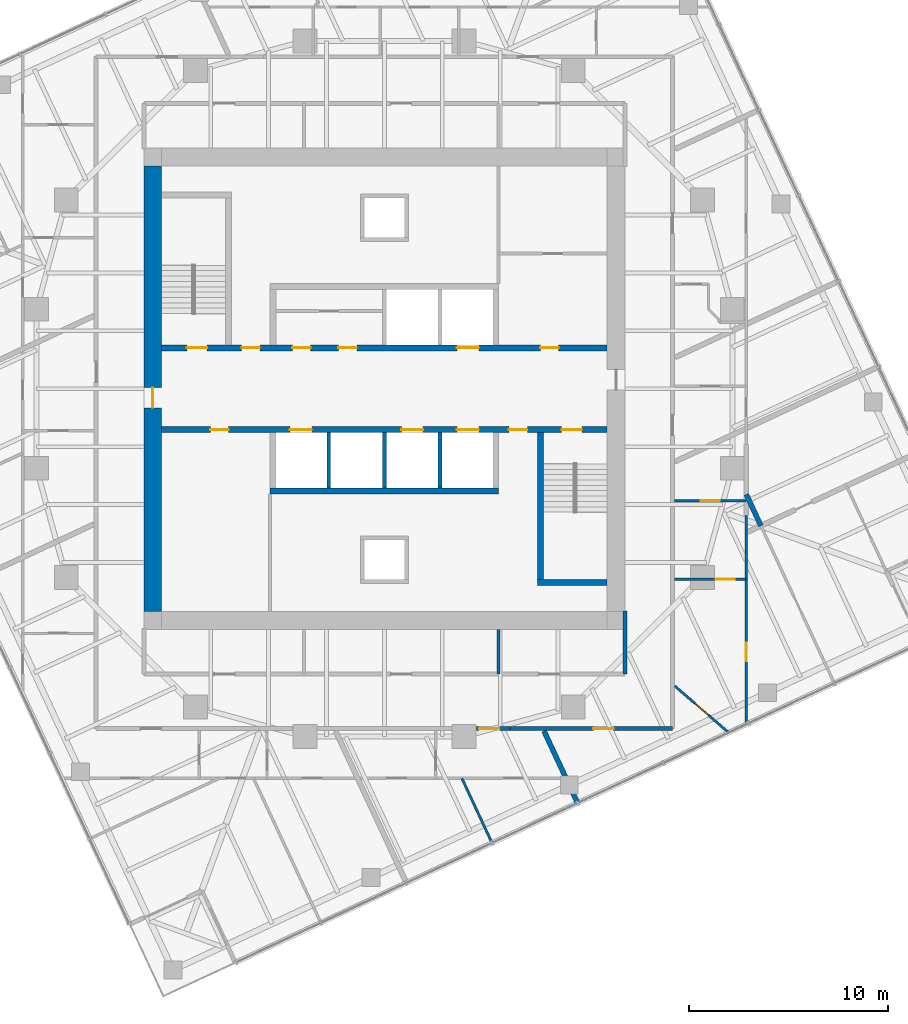
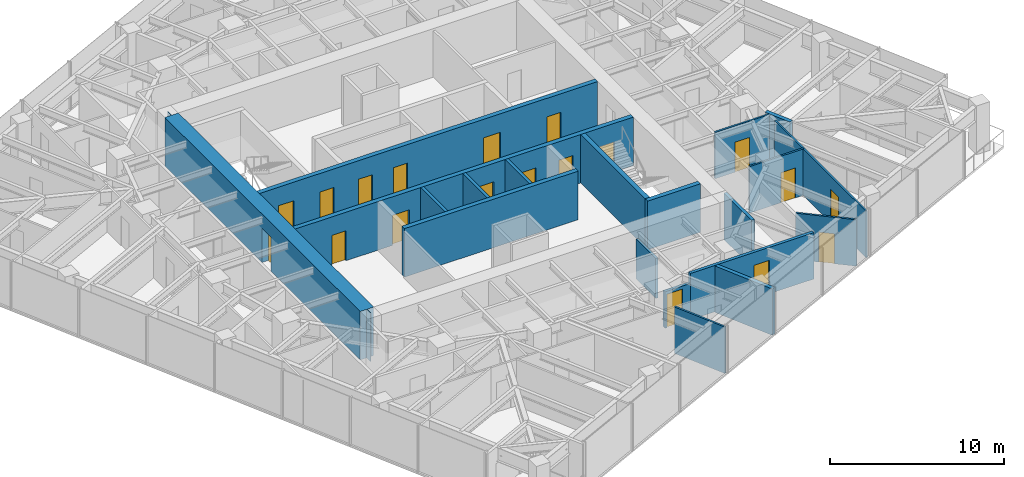
# One storey, part 8 of 13: 20 walls, 19 doors, 19 openings.
"""IFC4 building model written with IfcOpenShell, lengths in metres."""

from ifc_helpers import new_model, si_unit, direction, frame, frame_2d, origin, place, context, subcontext, project, spatial, polyline, rectangle, outline, extrude, material, layer, layer_set, type_object, element, fill, save


model = new_model("IFC4")

# Units and contexts
model_context = context("Model", 3, precision=1e-05, world=origin(), true_north=direction((0.0, 1.0)))
body_context = subcontext(model_context, "Body", "Model", "MODEL_VIEW")
ifc_project = project(units=[si_unit("LENGTHUNIT", "METRE"), si_unit("AREAUNIT", "SQUARE_METRE"), si_unit("VOLUMEUNIT", "CUBIC_METRE"), si_unit("PLANEANGLEUNIT", "RADIAN"), si_unit("MASSUNIT", "GRAM", prefix="KILO")], contexts=[model_context])

# Site, building, storey
site_placement = place(None, origin())
site = spatial("IfcSite", under=ifc_project, at=site_placement, CompositionType="ELEMENT")
building_placement = place(site_placement, origin())
building = spatial("IfcBuilding", under=site, at=building_placement, Name="Torsade Residences", CompositionType="ELEMENT")
storey_placement = place(building_placement, frame((0.0, 0.0, 196.39990234375)))
storey = spatial("IfcBuildingStorey", under=building, at=storey_placement, Name="L54", CompositionType="ELEMENT", Elevation=196.39990234375)

# Wall, openings, doors
ifc_material_1 = material(Name="Concrete 80 MPa", Category="concrete")
ifc_layer_1 = layer(ifc_material_1, 0.300048828125)
ifc_layer_set_1 = layer_set([ifc_layer_1], Name="Concrete 80 MPa")
wall_type_1 = type_object("IfcWallType", Name="CORE INTERNAL WALL 300", PredefinedType="SHEAR", material=ifc_layer_set_1)
wall_1_placement = place(storey_placement, frame((28.800048828125, 32.050048828125, 0.0), z_axis=(0.0, 0.0, 1.0), x_axis=(1.0, 0.0, 0.0)))
wall_1 = element("IfcWall", 1, at=wall_1_placement, inside=storey, type_object=wall_type_1, Name="Core wall LN L54", PredefinedType="SHEAR", context=body_context, shape_type="SweptSolid", body=[
    extrude(rectangle(XDim=22.39990234375, YDim=0.300048828125, at=frame_2d((11.199951171875, 0.0))), origin(), (0.0, 0.0, 1.0), 3.400146484375),
])
opening_1_placement = place(wall_1_placement, frame((19.0400390625, 0.0, 0.0)))
opening_1 = element("IfcOpeningElement", 2, at=opening_1_placement, cuts=wall_1, Name="Opening D06", PredefinedType="OPENING", context=body_context, shape_type="SweptSolid", body=[
    extrude(rectangle(XDim=0.919921875, YDim=2.10009765625, at=frame_2d((0.4599609375, 1.050048828125))), frame((0.0, 0.159912109375, 0.0), z_axis=(0.0, -1.0, 0.0), x_axis=(1.0, 0.0, 0.0)), (0.0, 0.0, 1.0), 0.320068359375),
])
opening_2_placement = place(wall_1_placement, frame((1.264892578125, 0.0, 0.0)))
opening_2 = element("IfcOpeningElement", 3, at=opening_2_placement, cuts=wall_1, Name="Opening D03", PredefinedType="OPENING", context=body_context, shape_type="SweptSolid", body=[
    extrude(rectangle(XDim=1.02001953125, YDim=2.10009765625, at=frame_2d((0.510009765625, 1.050048828125))), frame((0.0, 0.159912109375, 0.0), z_axis=(0.0, -1.0, 0.0), x_axis=(1.0, 0.0, 0.0)), (0.0, 0.0, 1.0), 0.320068359375),
])
opening_3_placement = place(wall_1_placement, frame((4.014892578125, 0.0, 0.0)))
opening_3 = element("IfcOpeningElement", 4, at=opening_3_placement, cuts=wall_1, Name="Opening D06", PredefinedType="OPENING", context=body_context, shape_type="SweptSolid", body=[
    extrude(rectangle(XDim=0.919921875, YDim=2.10009765625, at=frame_2d((0.4599609375, 1.050048828125))), frame((0.0, 0.159912109375, 0.0), z_axis=(0.0, -1.0, 0.0), x_axis=(1.0, 0.0, 0.0)), (0.0, 0.0, 1.0), 0.320068359375),
])
opening_4_placement = place(wall_1_placement, frame((6.56494140625, 0.0, 0.0)))
opening_4 = element("IfcOpeningElement", 5, at=opening_4_placement, cuts=wall_1, Name="Opening D06", PredefinedType="OPENING", context=body_context, shape_type="SweptSolid", body=[
    extrude(rectangle(XDim=0.919921875, YDim=2.10009765625, at=frame_2d((0.4599609375, 1.050048828125))), frame((0.0, 0.159912109375, 0.0), z_axis=(0.0, -1.0, 0.0), x_axis=(1.0, 0.0, 0.0)), (0.0, 0.0, 1.0), 0.320068359375),
])
opening_5_placement = place(wall_1_placement, frame((8.889892578125, 0.0, 0.0)))
opening_5 = element("IfcOpeningElement", 6, at=opening_5_placement, cuts=wall_1, Name="Opening D06", PredefinedType="OPENING", context=body_context, shape_type="SweptSolid", body=[
    extrude(rectangle(XDim=0.919921875, YDim=2.10009765625, at=frame_2d((0.4599609375, 1.050048828125))), frame((0.0, 0.159912109375, 0.0), z_axis=(0.0, -1.0, 0.0), x_axis=(1.0, 0.0, 0.0)), (0.0, 0.0, 1.0), 0.320068359375),
])
opening_6_placement = place(wall_1_placement, frame((14.85009765625, 0.0, 0.0)))
opening_6 = element("IfcOpeningElement", 7, at=opening_6_placement, cuts=wall_1, Name="Opening LD", PredefinedType="OPENING", context=body_context, shape_type="SweptSolid", body=[
    extrude(rectangle(XDim=1.10009765625, YDim=2.10009765625, at=frame_2d((0.550048828125, 1.050048828125))), frame((0.0, 0.159912109375, 0.0), z_axis=(0.0, -1.0, 0.0), x_axis=(1.0, 0.0, 0.0)), (0.0, 0.0, 1.0), 0.320068359375),
])
ifc_material_2 = material(Name="Steel-framed fire door", Category="steel")
door_type_1 = type_object("IfcDoorType", Name="FIRE DOOR 1020", OperationType="NOTDEFINED", PredefinedType="DOOR", material=ifc_material_2)
door_1_placement = place(opening_2_placement, origin())
door_1 = element("IfcDoor", 8, at=door_1_placement, inside=storey, type_object=door_type_1, Name="Exit door to fire-isolated stair ST1 L54", OperationType="SINGLE_SWING_RIGHT", OverallHeight=2.10009765625, OverallWidth=1.02001953125, PredefinedType="DOOR", context=body_context, shape_type="SweptSolid", body=[
    extrude(rectangle(XDim=1.02001953125, YDim=2.10009765625, at=frame_2d((0.510009765625, 1.050048828125))), frame((0.0, 0.02490234375, 0.0), z_axis=(0.0, -1.0, 0.0), x_axis=(1.0, 0.0, 0.0)), (0.0, 0.0, 1.0), 0.050048828125),
])
fill(opening_2, door_1)
ifc_material_3 = material(Name="Steel-framed fire door", Category="steel")
door_type_2 = type_object("IfcDoorType", Name="FIRE DOOR 920", OperationType="NOTDEFINED", PredefinedType="DOOR", material=ifc_material_3)
door_2_placement = place(opening_1_placement, origin())
door_2 = element("IfcDoor", 9, at=door_2_placement, inside=storey, type_object=door_type_2, Name="Door Lift lobby to Refuse room", OperationType="SINGLE_SWING_LEFT", OverallHeight=2.10009765625, OverallWidth=0.919921875, PredefinedType="DOOR", context=body_context, shape_type="SweptSolid", body=[
    extrude(rectangle(XDim=0.919921875, YDim=2.10009765625, at=frame_2d((0.4599609375, 1.050048828125))), frame((0.0, 0.02490234375, 0.0), z_axis=(0.0, -1.0, 0.0), x_axis=(1.0, 0.0, 0.0)), (0.0, 0.0, 1.0), 0.050048828125),
])
fill(opening_1, door_2)
door_3_placement = place(opening_3_placement, origin())
door_3 = element("IfcDoor", 10, at=door_3_placement, inside=storey, type_object=door_type_2, Name="Door Lift lobby to Electrical riser room", OperationType="SINGLE_SWING_LEFT", OverallHeight=2.10009765625, OverallWidth=0.919921875, PredefinedType="DOOR", context=body_context, shape_type="SweptSolid", body=[
    extrude(rectangle(XDim=0.919921875, YDim=2.10009765625, at=frame_2d((0.4599609375, 1.050048828125))), frame((0.0, 0.02490234375, 0.0), z_axis=(0.0, -1.0, 0.0), x_axis=(1.0, 0.0, 0.0)), (0.0, 0.0, 1.0), 0.050048828125),
])
fill(opening_3, door_3)
door_4_placement = place(opening_4_placement, origin())
door_4 = element("IfcDoor", 11, at=door_4_placement, inside=storey, type_object=door_type_2, Name="Door Lift lobby to Residents storage L54A", OperationType="SINGLE_SWING_LEFT", OverallHeight=2.10009765625, OverallWidth=0.919921875, PredefinedType="DOOR", context=body_context, shape_type="SweptSolid", body=[
    extrude(rectangle(XDim=0.919921875, YDim=2.10009765625, at=frame_2d((0.4599609375, 1.050048828125))), frame((0.0, 0.02490234375, 0.0), z_axis=(0.0, -1.0, 0.0), x_axis=(1.0, 0.0, 0.0)), (0.0, 0.0, 1.0), 0.050048828125),
])
fill(opening_4, door_4)
door_5_placement = place(opening_5_placement, origin())
door_5 = element("IfcDoor", 12, at=door_5_placement, inside=storey, type_object=door_type_2, Name="Door Lift lobby to Residents storage L54A", OperationType="SINGLE_SWING_LEFT", OverallHeight=2.10009765625, OverallWidth=0.919921875, PredefinedType="DOOR", context=body_context, shape_type="SweptSolid", body=[
    extrude(rectangle(XDim=0.919921875, YDim=2.10009765625, at=frame_2d((0.4599609375, 1.050048828125))), frame((0.0, 0.02490234375, 0.0), z_axis=(0.0, -1.0, 0.0), x_axis=(1.0, 0.0, 0.0)), (0.0, 0.0, 1.0), 0.050048828125),
])
fill(opening_5, door_5)
ifc_material_4 = material(Name="Stainless steel lift landing door", Category="steel")
door_type_3 = type_object("IfcDoorType", Name="LIFT LANDING DOOR 1100", OperationType="SLIDING_TO_LEFT", PredefinedType="DOOR", material=ifc_material_4)
door_6_placement = place(opening_6_placement, origin())
door_6 = element("IfcDoor", 13, at=door_6_placement, inside=storey, type_object=door_type_3, Name="Lift FL1 landing door L54", OperationType="SLIDING_TO_LEFT", OverallHeight=2.10009765625, OverallWidth=1.10009765625, PredefinedType="DOOR", context=body_context, shape_type="SweptSolid", body=[
    extrude(rectangle(XDim=1.10009765625, YDim=2.10009765625, at=frame_2d((0.550048828125, 1.050048828125))), frame((0.0, 0.02490234375, 0.0), z_axis=(0.0, -1.0, 0.0), x_axis=(1.0, 0.0, 0.0)), (0.0, 0.0, 1.0), 0.050048828125),
])
fill(opening_6, door_6)

wall_2_placement = place(storey_placement, frame((51.199951171875, 27.949951171875, 0.0), z_axis=(0.0, 0.0, 1.0), x_axis=(-1.0, 0.0, 0.0)))
wall_2 = element("IfcWall", 14, at=wall_2_placement, inside=storey, type_object=wall_type_1, Name="Core wall LS L54", PredefinedType="SHEAR", context=body_context, shape_type="SweptSolid", body=[
    extrude(rectangle(XDim=22.39990234375, YDim=0.300048828125, at=frame_2d((11.199951171875, 0.0))), origin(), (0.0, 0.0, 1.0), 3.400146484375),
])
opening_7_placement = place(wall_2_placement, frame((19.0400390625, 0.0, 0.0)))
opening_7 = element("IfcOpeningElement", 15, at=opening_7_placement, cuts=wall_2, Name="Opening D06", PredefinedType="OPENING", context=body_context, shape_type="SweptSolid", body=[
    extrude(rectangle(XDim=0.919921875, YDim=2.10009765625, at=frame_2d((0.4599609375, 1.050048828125))), frame((0.0, 0.159912109375, 0.0), z_axis=(0.0, -1.0, 0.0), x_axis=(1.0, 0.0, 0.0)), (0.0, 0.0, 1.0), 0.320068359375),
])
opening_8_placement = place(wall_2_placement, frame((1.264892578125, 0.0, 0.0)))
opening_8 = element("IfcOpeningElement", 16, at=opening_8_placement, cuts=wall_2, Name="Opening D03", PredefinedType="OPENING", context=body_context, shape_type="SweptSolid", body=[
    extrude(rectangle(XDim=1.02001953125, YDim=2.10009765625, at=frame_2d((0.510009765625, 1.050048828125))), frame((0.0, 0.159912109375, 0.0), z_axis=(0.0, -1.0, 0.0), x_axis=(1.0, 0.0, 0.0)), (0.0, 0.0, 1.0), 0.320068359375),
])
opening_9_placement = place(wall_2_placement, frame((4.014892578125, 0.0, 0.0)))
opening_9 = element("IfcOpeningElement", 17, at=opening_9_placement, cuts=wall_2, Name="Opening D06", PredefinedType="OPENING", context=body_context, shape_type="SweptSolid", body=[
    extrude(rectangle(XDim=0.919921875, YDim=2.10009765625, at=frame_2d((0.4599609375, 1.050048828125))), frame((0.0, 0.159912109375, 0.0), z_axis=(0.0, -1.0, 0.0), x_axis=(1.0, 0.0, 0.0)), (0.0, 0.0, 1.0), 0.320068359375),
])
opening_10_placement = place(wall_2_placement, frame((6.449951171875, 0.0, 0.0)))
opening_10 = element("IfcOpeningElement", 18, at=opening_10_placement, cuts=wall_2, Name="Opening LD", PredefinedType="OPENING", context=body_context, shape_type="SweptSolid", body=[
    extrude(rectangle(XDim=1.10009765625, YDim=2.10009765625, at=frame_2d((0.550048828125, 1.050048828125))), frame((0.0, 0.159912109375, 0.0), z_axis=(0.0, -1.0, 0.0), x_axis=(1.0, 0.0, 0.0)), (0.0, 0.0, 1.0), 0.320068359375),
])
opening_11_placement = place(wall_2_placement, frame((9.25, 0.0, 0.0)))
opening_11 = element("IfcOpeningElement", 19, at=opening_11_placement, cuts=wall_2, Name="Opening LD", PredefinedType="OPENING", context=body_context, shape_type="SweptSolid", body=[
    extrude(rectangle(XDim=1.10009765625, YDim=2.10009765625, at=frame_2d((0.550048828125, 1.050048828125))), frame((0.0, 0.159912109375, 0.0), z_axis=(0.0, -1.0, 0.0), x_axis=(1.0, 0.0, 0.0)), (0.0, 0.0, 1.0), 0.320068359375),
])
opening_12_placement = place(wall_2_placement, frame((14.85009765625, 0.0, 0.0)))
opening_12 = element("IfcOpeningElement", 20, at=opening_12_placement, cuts=wall_2, Name="Opening LD", PredefinedType="OPENING", context=body_context, shape_type="SweptSolid", body=[
    extrude(rectangle(XDim=1.10009765625, YDim=2.10009765625, at=frame_2d((0.550048828125, 1.050048828125))), frame((0.0, 0.159912109375, 0.0), z_axis=(0.0, -1.0, 0.0), x_axis=(1.0, 0.0, 0.0)), (0.0, 0.0, 1.0), 0.320068359375),
])
door_7_placement = place(opening_8_placement, origin())
door_7 = element("IfcDoor", 21, at=door_7_placement, inside=storey, type_object=door_type_1, Name="Exit door to fire-isolated stair ST2 L54", OperationType="SINGLE_SWING_RIGHT", OverallHeight=2.10009765625, OverallWidth=1.02001953125, PredefinedType="DOOR", context=body_context, shape_type="SweptSolid", body=[
    extrude(rectangle(XDim=1.02001953125, YDim=2.10009765625, at=frame_2d((0.510009765625, 1.050048828125))), frame((0.0, 0.02490234375, 0.0), z_axis=(0.0, -1.0, 0.0), x_axis=(1.0, 0.0, 0.0)), (0.0, 0.0, 1.0), 0.050048828125),
])
fill(opening_8, door_7)
door_8_placement = place(opening_7_placement, origin())
door_8 = element("IfcDoor", 22, at=door_8_placement, inside=storey, type_object=door_type_2, Name="Door Lift lobby to Cleaner store", OperationType="SINGLE_SWING_LEFT", OverallHeight=2.10009765625, OverallWidth=0.919921875, PredefinedType="DOOR", context=body_context, shape_type="SweptSolid", body=[
    extrude(rectangle(XDim=0.919921875, YDim=2.10009765625, at=frame_2d((0.4599609375, 1.050048828125))), frame((0.0, 0.02490234375, 0.0), z_axis=(0.0, -1.0, 0.0), x_axis=(1.0, 0.0, 0.0)), (0.0, 0.0, 1.0), 0.050048828125),
])
fill(opening_7, door_8)
door_9_placement = place(opening_9_placement, origin())
door_9 = element("IfcDoor", 23, at=door_9_placement, inside=storey, type_object=door_type_2, Name="Door Lift lobby to Communications riser room", OperationType="SINGLE_SWING_RIGHT", OverallHeight=2.10009765625, OverallWidth=0.919921875, PredefinedType="DOOR", context=body_context, shape_type="SweptSolid", body=[
    extrude(rectangle(XDim=0.919921875, YDim=2.10009765625, at=frame_2d((0.4599609375, 1.050048828125))), frame((0.0, 0.02490234375, 0.0), z_axis=(0.0, -1.0, 0.0), x_axis=(1.0, 0.0, 0.0)), (0.0, 0.0, 1.0), 0.050048828125),
])
fill(opening_9, door_9)
door_10_placement = place(opening_10_placement, origin())
door_10 = element("IfcDoor", 24, at=door_10_placement, inside=storey, type_object=door_type_3, Name="Lift LB1 landing door L54", OperationType="SLIDING_TO_LEFT", OverallHeight=2.10009765625, OverallWidth=1.10009765625, PredefinedType="DOOR", context=body_context, shape_type="SweptSolid", body=[
    extrude(rectangle(XDim=1.10009765625, YDim=2.10009765625, at=frame_2d((0.550048828125, 1.050048828125))), frame((0.0, 0.02490234375, 0.0), z_axis=(0.0, -1.0, 0.0), x_axis=(1.0, 0.0, 0.0)), (0.0, 0.0, 1.0), 0.050048828125),
])
fill(opening_10, door_10)
door_11_placement = place(opening_11_placement, origin())
door_11 = element("IfcDoor", 25, at=door_11_placement, inside=storey, type_object=door_type_3, Name="Lift LB2 landing door L54", OperationType="SLIDING_TO_LEFT", OverallHeight=2.10009765625, OverallWidth=1.10009765625, PredefinedType="DOOR", context=body_context, shape_type="SweptSolid", body=[
    extrude(rectangle(XDim=1.10009765625, YDim=2.10009765625, at=frame_2d((0.550048828125, 1.050048828125))), frame((0.0, 0.02490234375, 0.0), z_axis=(0.0, -1.0, 0.0), x_axis=(1.0, 0.0, 0.0)), (0.0, 0.0, 1.0), 0.050048828125),
])
fill(opening_11, door_11)
door_12_placement = place(opening_12_placement, origin())
door_12 = element("IfcDoor", 26, at=door_12_placement, inside=storey, type_object=door_type_3, Name="Lift FL2 landing door L54", OperationType="SLIDING_TO_LEFT", OverallHeight=2.10009765625, OverallWidth=1.10009765625, PredefinedType="DOOR", context=body_context, shape_type="SweptSolid", body=[
    extrude(rectangle(XDim=1.10009765625, YDim=2.10009765625, at=frame_2d((0.550048828125, 1.050048828125))), frame((0.0, 0.02490234375, 0.0), z_axis=(0.0, -1.0, 0.0), x_axis=(1.0, 0.0, 0.0)), (0.0, 0.0, 1.0), 0.050048828125),
])
fill(opening_12, door_12)

# Walls
wall_3_placement = place(storey_placement, frame((45.75, 24.85009765625, 0.0), z_axis=(0.0, 0.0, 1.0), x_axis=(-1.0, 0.0, 0.0)))
element("IfcWall", 27, at=wall_3_placement, inside=storey, type_object=wall_type_1, Name="Core wall BS L54", PredefinedType="SHEAR", context=body_context, shape_type="SweptSolid", body=[
    extrude(rectangle(XDim=11.5, YDim=0.300048828125, at=frame_2d((5.75, 0.0))), origin(), (0.0, 0.0, 1.0), 3.400146484375),
])
wall_4_placement = place(storey_placement, frame((47.85009765625, 27.800048828125, 0.0), z_axis=(0.0, 0.0, 1.0), x_axis=(0.0, -1.0, 0.0)))
element("IfcWall", 28, at=wall_4_placement, inside=storey, type_object=wall_type_1, Name="Core wall ST2W L54", PredefinedType="SHEAR", context=body_context, shape_type="SweptSolid", body=[
    extrude(rectangle(XDim=7.699951171875, YDim=0.300048828125, at=frame_2d((3.85009765625, 0.0))), origin(), (0.0, 0.0, 1.0), 3.400146484375),
])
wall_5_placement = place(storey_placement, frame((51.199951171875, 20.25, 0.0), z_axis=(0.0, 0.0, 1.0), x_axis=(-1.0, 0.0, 0.0)))
element("IfcWall", 29, at=wall_5_placement, inside=storey, type_object=wall_type_1, Name="Core wall ST2S L54", PredefinedType="SHEAR", context=body_context, shape_type="SweptSolid", body=[
    extrude(rectangle(XDim=3.5, YDim=0.300048828125, at=frame_2d((1.75, 0.0))), origin(), (0.0, 0.0, 1.0), 3.400146484375),
])

# Wall, opening, door
ifc_material_5 = material(Name="Concrete 80 MPa", Category="concrete")
ifc_layer_2 = layer(ifc_material_5, 0.89990234375)
ifc_layer_set_2 = layer_set([ifc_layer_2], Name="Concrete 80 MPa")
wall_type_2 = type_object("IfcWallType", Name="CORE WALL 900", PredefinedType="SHEAR", material=ifc_layer_set_2)
wall_6_placement = place(storey_placement, frame((28.35009765625, 41.199951171875, 0.0), z_axis=(0.0, 0.0, 1.0), x_axis=(0.0, -1.0, 0.0)))
wall_6 = element("IfcWall", 30, at=wall_6_placement, inside=storey, type_object=wall_type_2, Name="Core wall W L54", PredefinedType="SHEAR", context=body_context, shape_type="SweptSolid", body=[
    extrude(outline(polyline([(0.0, -0.449951171875), (22.39990234375, -0.449951171875), (22.39990234375, -0.02490234375), (22.849853515625, -0.02490234375), (22.849853515625, 0.02490234375), (22.39990234375, 0.02490234375), (22.39990234375, 0.449951171875), (0.0, 0.449951171875), (0.0, 0.02490234375), (-0.449951171875, 0.02490234375), (-0.449951171875, -0.02490234375), (0.0, -0.02490234375), (0.0, -0.449951171875)])), origin(), (0.0, 0.0, 1.0), 3.400146484375),
])
opening_13_placement = place(wall_6_placement, frame((11.139892578125, 0.0, 0.0)))
opening_13 = element("IfcOpeningElement", 31, at=opening_13_placement, cuts=wall_6, Name="Opening D04", PredefinedType="OPENING", context=body_context, shape_type="SweptSolid", body=[
    extrude(rectangle(XDim=1.02001953125, YDim=2.39990234375, at=frame_2d((0.510009765625, 1.199951171875))), frame((0.0, 0.4599609375, 0.0), z_axis=(0.0, -1.0, 0.0), x_axis=(1.0, 0.0, 0.0)), (0.0, 0.0, 1.0), 0.919921875),
])
ifc_material_6 = material(Name="Steel-framed fire door", Category="steel")
door_type_4 = type_object("IfcDoorType", Name="LOBBY SMOKE DOOR 1020x2400", OperationType="NOTDEFINED", PredefinedType="DOOR", material=ifc_material_6)
door_13_placement = place(opening_13_placement, origin())
door_13 = element("IfcDoor", 32, at=door_13_placement, inside=storey, type_object=door_type_4, Name="Lift lobby door W L54", OperationType="SINGLE_SWING_RIGHT", OverallHeight=2.39990234375, OverallWidth=1.02001953125, PredefinedType="DOOR", context=body_context, shape_type="SweptSolid", body=[
    extrude(rectangle(XDim=1.02001953125, YDim=2.39990234375, at=frame_2d((0.510009765625, 1.199951171875))), frame((0.0, 0.02490234375, 0.0), z_axis=(0.0, -1.0, 0.0), x_axis=(1.0, 0.0, 0.0)), (0.0, 0.0, 1.0), 0.050048828125),
])
fill(opening_13, door_13)

ifc_material_7 = material(Name="Plasterboard on steel stud", Category="steel")
ifc_layer_3 = layer(ifc_material_7, 0.199951171875)
ifc_layer_set_3 = layer_set([ifc_layer_3], Name="Plasterboard on steel stud")
wall_type_3 = type_object("IfcWallType", Name="CORRIDOR WALL 200", PredefinedType="PARTITIONING", material=ifc_layer_set_3)
wall_7_placement = place(storey_placement, frame((44.625, 12.89990234375, 0.0), z_axis=(0.0, 0.0, 1.0), x_axis=(1.0, 0.0, 0.0)))
wall_7 = element("IfcWall", 33, at=wall_7_placement, inside=storey, type_object=wall_type_3, Name="Corridor wall L54", PredefinedType="PARTITIONING", context=body_context, shape_type="SweptSolid", body=[
    extrude(rectangle(XDim=1.683349609375, YDim=0.199951171875, at=frame_2d((0.841796875, 0.0))), origin(), (0.0, 0.0, 1.0), 2.550048828125),
])
opening_14_placement = place(wall_7_placement, frame((0.137451171875, 0.0, 0.0)))
opening_14 = element("IfcOpeningElement", 34, at=opening_14_placement, cuts=wall_7, Name="Opening D01", PredefinedType="OPENING", context=body_context, shape_type="SweptSolid", body=[
    extrude(rectangle(XDim=1.02001953125, YDim=2.340087890625, at=frame_2d((0.510009765625, 1.169921875))), frame((0.0, 0.10986328125, 0.0), z_axis=(0.0, -1.0, 0.0), x_axis=(1.0, 0.0, 0.0)), (0.0, 0.0, 1.0), 0.219970703125),
])
ifc_material_8 = material(Name="Solid-core timber fire door", Category="wood")
door_type_5 = type_object("IfcDoorType", Name="APARTMENT ENTRY DOOR 1020x2340", OperationType="NOTDEFINED", PredefinedType="DOOR", material=ifc_material_8)
door_14_placement = place(opening_14_placement, origin())
door_14 = element("IfcDoor", 35, at=door_14_placement, inside=storey, type_object=door_type_5, Name="Door Residential corridor to Kitchen and dining", OperationType="SINGLE_SWING_LEFT", OverallHeight=2.340087890625, OverallWidth=1.02001953125, PredefinedType="DOOR", context=body_context, shape_type="SweptSolid", body=[
    extrude(rectangle(XDim=1.02001953125, YDim=2.340087890625, at=frame_2d((0.510009765625, 1.169921875))), frame((0.0, 0.02490234375, 0.0), z_axis=(0.0, -1.0, 0.0), x_axis=(1.0, 0.0, 0.0)), (0.0, 0.0, 1.0), 0.050048828125),
])
fill(opening_14, door_14)

wall_8_placement = place(storey_placement, frame((46.308349609375, 12.89990234375, 0.0), z_axis=(0.0, 0.0, 1.0), x_axis=(1.0, 0.0, 0.0)))
wall_8 = element("IfcWall", 36, at=wall_8_placement, inside=storey, type_object=wall_type_3, Name="Corridor wall L54", PredefinedType="PARTITIONING", context=body_context, shape_type="SweptSolid", body=[
    extrude(rectangle(XDim=8.191650390625, YDim=0.199951171875, at=frame_2d((4.095703125, 0.0))), origin(), (0.0, 0.0, 1.0), 3.25),
])
opening_15_placement = place(wall_8_placement, frame((4.207275390625, 0.0, 0.0)))
opening_15 = element("IfcOpeningElement", 37, at=opening_15_placement, cuts=wall_8, Name="Opening D01", PredefinedType="OPENING", context=body_context, shape_type="SweptSolid", body=[
    extrude(rectangle(XDim=1.02001953125, YDim=2.340087890625, at=frame_2d((0.510009765625, 1.169921875))), frame((0.0, 0.10986328125, 0.0), z_axis=(0.0, -1.0, 0.0), x_axis=(1.0, 0.0, 0.0)), (0.0, 0.0, 1.0), 0.219970703125),
])
door_15_placement = place(opening_15_placement, origin())
door_15 = element("IfcDoor", 38, at=door_15_placement, inside=storey, type_object=door_type_5, Name="Door Residential corridor to Kitchen and dining", OperationType="SINGLE_SWING_RIGHT", OverallHeight=2.340087890625, OverallWidth=1.02001953125, PredefinedType="DOOR", context=body_context, shape_type="SweptSolid", body=[
    extrude(rectangle(XDim=1.02001953125, YDim=2.340087890625, at=frame_2d((0.510009765625, 1.169921875))), frame((0.0, 0.02490234375, 0.0), z_axis=(0.0, -1.0, 0.0), x_axis=(1.0, 0.0, 0.0)), (0.0, 0.0, 1.0), 0.050048828125),
])
fill(opening_15, door_15)

# Walls
wall_9_placement = place(storey_placement, frame((52.10009765625, 15.64990234375, 0.0), z_axis=(0.0, 0.0, 1.0), x_axis=(0.0, 1.0, 0.0)))
element("IfcWall", 39, at=wall_9_placement, inside=storey, type_object=wall_type_3, Name="Corridor wall L54", PredefinedType="PARTITIONING", context=body_context, shape_type="SweptSolid", body=[
    extrude(rectangle(XDim=3.170166015625, YDim=0.199951171875, at=frame_2d((1.5849609375, 0.0))), origin(), (0.0, 0.0, 1.0), 3.25),
])
ifc_material_9 = material(Name="Reinforced blockwork", Category="masonry")
ifc_layer_4 = layer(ifc_material_9, 0.199951171875)
ifc_layer_set_4 = layer_set([ifc_layer_4], Name="Reinforced blockwork")
wall_type_4 = type_object("IfcWallType", Name="LIFT SHAFT DIVIDING WALL 200", PredefinedType="SOLIDWALL", material=ifc_layer_set_4)
for number, where, z_axis, x_axis, name in (
    (40, (42.800048828125, 27.800048828125, 0.0), (0.0, 0.0, 1.0), (0.0, -1.0, 0.0), "Core wall DS1 L54"),
    (41, (40.0, 27.800048828125, 0.0), (0.0, 0.0, 1.0), (0.0, -1.0, 0.0), "Core wall DS2 L54"),
    (42, (37.199951171875, 27.800048828125, 0.0), (0.0, 0.0, 1.0), (0.0, -1.0, 0.0), "Core wall DS3 L54"),
):
    element("IfcWall", number, at=place(storey_placement, frame(where, z_axis=z_axis, x_axis=x_axis)), inside=storey, type_object=wall_type_4, Name=name, PredefinedType="SOLIDWALL", context=body_context, shape_type="SweptSolid", body=[
        extrude(rectangle(XDim=2.800048828125, YDim=0.199951171875, at=frame_2d((1.39990234375, 0.0))), origin(), (0.0, 0.0, 1.0), 3.400146484375),
    ])
ifc_material_10 = material(Name="Plasterboard on steel stud", Category="steel")
ifc_layer_5 = layer(ifc_material_10, 0.1201171875)
ifc_layer_set_5 = layer_set([ifc_layer_5], Name="Plasterboard on steel stud")
wall_type_5 = type_object("IfcWallType", Name="PARTITION 120", PredefinedType="PARTITIONING", material=ifc_layer_set_5)
wall_10_placement = place(storey_placement, frame((43.898681640625, 10.39990234375, 0.0), z_axis=(0.0, 0.0, 1.0), x_axis=(0.42263686638, -0.906299111318, 0.0)))
element("IfcWall", 43, at=wall_10_placement, inside=storey, type_object=wall_type_5, Name="Partition L54", PredefinedType="PARTITIONING", context=body_context, shape_type="SweptSolid", body=[
    extrude(rectangle(XDim=3.548583984375, YDim=0.1201171875, at=frame_2d((1.7744140625, 0.0))), origin(), (0.0, 0.0, 1.0), 3.25),
])

# Wall, opening, door
wall_11_placement = place(storey_placement, frame((54.60009765625, 15.05224609375, 0.0), z_axis=(0.0, 0.0, 1.0), x_axis=(0.756558808476, -0.653925660391, 0.0)))
wall_11 = element("IfcWall", 44, at=wall_11_placement, inside=storey, type_object=wall_type_5, Name="Partition L54", PredefinedType="PARTITIONING", context=body_context, shape_type="SweptSolid", body=[
    extrude(rectangle(XDim=3.553955078125, YDim=0.1201171875, at=frame_2d((1.77685546875, 0.0))), origin(), (0.0, 0.0, 1.0), 3.25),
])
opening_16_placement = place(wall_11_placement, frame((1.3388671875, 0.0, 0.0)))
opening_16 = element("IfcOpeningElement", 45, at=opening_16_placement, cuts=wall_11, Name="Opening D02L", PredefinedType="OPENING", context=body_context, shape_type="SweptSolid", body=[
    extrude(rectangle(XDim=0.919921875, YDim=2.10009765625, at=frame_2d((0.4599609375, 1.050048828125))), frame((0.0, 0.070068359375, 0.0), z_axis=(0.0, -1.0, 0.0), x_axis=(1.0, 0.0, 0.0)), (0.0, 0.0, 1.0), 0.14013671875),
])
ifc_material_11 = material(Name="Hollow-core timber door", Category="wood")
door_type_6 = type_object("IfcDoorType", Name="INTERNAL DOOR 920x2100", OperationType="NOTDEFINED", PredefinedType="DOOR", material=ifc_material_11)
door_16_placement = place(opening_16_placement, origin())
door_16 = element("IfcDoor", 46, at=door_16_placement, inside=storey, type_object=door_type_6, Name="Door Kitchen and dining to Scullery", OperationType="SINGLE_SWING_LEFT", OverallHeight=2.10009765625, OverallWidth=0.919921875, PredefinedType="DOOR", context=body_context, shape_type="SweptSolid", body=[
    extrude(rectangle(XDim=0.919921875, YDim=2.10009765625, at=frame_2d((0.4599609375, 1.050048828125))), frame((0.0, 0.02490234375, 0.0), z_axis=(0.0, -1.0, 0.0), x_axis=(1.0, 0.0, 0.0)), (0.0, 0.0, 1.0), 0.050048828125),
])
fill(opening_16, door_16)

wall_12_placement = place(storey_placement, frame((54.60009765625, 20.41259765625, 0.0), z_axis=(0.0, 0.0, 1.0), x_axis=(1.0, 0.0, 0.0)))
wall_12 = element("IfcWall", 47, at=wall_12_placement, inside=storey, type_object=wall_type_5, Name="Partition L54", PredefinedType="PARTITIONING", context=body_context, shape_type="SweptSolid", body=[
    extrude(rectangle(XDim=3.599853515625, YDim=0.1201171875, at=frame_2d((1.7998046875, 0.0))), origin(), (0.0, 0.0, 1.0), 3.25),
])
opening_17_placement = place(wall_12_placement, frame((2.070068359375, 0.0, 0.0)))
opening_17 = element("IfcOpeningElement", 48, at=opening_17_placement, cuts=wall_12, Name="Opening D05", PredefinedType="OPENING", context=body_context, shape_type="SweptSolid", body=[
    extrude(rectangle(XDim=0.9599609375, YDim=2.10009765625, at=frame_2d((0.47998046875, 1.050048828125))), frame((0.0, 0.070068359375, 0.0), z_axis=(0.0, -1.0, 0.0), x_axis=(1.0, 0.0, 0.0)), (0.0, 0.0, 1.0), 0.14013671875),
])
ifc_material_12 = material(Name="Hollow-core timber door in a steel cavity frame", Category="steel")
door_type_7 = type_object("IfcDoorType", Name="BATHROOM CAVITY SLIDING DOOR 960", OperationType="SLIDING_TO_LEFT", PredefinedType="DOOR", material=ifc_material_12)
door_17_placement = place(opening_17_placement, origin())
door_17 = element("IfcDoor", 49, at=door_17_placement, inside=storey, type_object=door_type_7, Name="Door Scullery to Bathroom", OperationType="SLIDING_TO_LEFT", OverallHeight=2.10009765625, OverallWidth=0.9599609375, PredefinedType="DOOR", context=body_context, shape_type="SweptSolid", body=[
    extrude(rectangle(XDim=0.9599609375, YDim=2.10009765625, at=frame_2d((0.47998046875, 1.050048828125))), frame((0.0, 0.02490234375, 0.0), z_axis=(0.0, -1.0, 0.0), x_axis=(1.0, 0.0, 0.0)), (0.0, 0.0, 1.0), 0.050048828125),
])
fill(opening_17, door_17)

wall_13_placement = place(storey_placement, frame((58.199951171875, 23.63232421875, 0.0), z_axis=(0.0, 0.0, 1.0), x_axis=(0.0, -1.0, 0.0)))
wall_13 = element("IfcWall", 50, at=wall_13_placement, inside=storey, type_object=wall_type_5, Name="Partition L54", PredefinedType="PARTITIONING", context=body_context, shape_type="SweptSolid", body=[
    extrude(rectangle(XDim=10.47900390625, YDim=0.1201171875, at=frame_2d((5.239501953125, 0.0))), origin(), (0.0, 0.0, 1.0), 3.25),
])
opening_18_placement = place(wall_13_placement, frame((6.411376953125, 0.0, 0.0)))
opening_18 = element("IfcOpeningElement", 51, at=opening_18_placement, cuts=wall_13, Name="Opening D02", PredefinedType="OPENING", context=body_context, shape_type="SweptSolid", body=[
    extrude(rectangle(XDim=0.919921875, YDim=2.340087890625, at=frame_2d((0.4599609375, 1.169921875))), frame((0.0, 0.070068359375, 0.0), z_axis=(0.0, -1.0, 0.0), x_axis=(1.0, 0.0, 0.0)), (0.0, 0.0, 1.0), 0.14013671875),
])
ifc_material_13 = material(Name="Hollow-core timber door", Category="wood")
door_type_8 = type_object("IfcDoorType", Name="INTERNAL DOOR 920x2340", OperationType="NOTDEFINED", PredefinedType="DOOR", material=ifc_material_13)
door_18_placement = place(opening_18_placement, origin())
door_18 = element("IfcDoor", 52, at=door_18_placement, inside=storey, type_object=door_type_8, Name="Door Scullery to Bedroom 2", OperationType="SINGLE_SWING_RIGHT", OverallHeight=2.340087890625, OverallWidth=0.919921875, PredefinedType="DOOR", context=body_context, shape_type="SweptSolid", body=[
    extrude(rectangle(XDim=0.919921875, YDim=2.340087890625, at=frame_2d((0.4599609375, 1.169921875))), frame((0.0, 0.02490234375, 0.0), z_axis=(0.0, -1.0, 0.0), x_axis=(1.0, 0.0, 0.0)), (0.0, 0.0, 1.0), 0.050048828125),
])
fill(opening_18, door_18)

wall_14_placement = place(storey_placement, frame((54.60009765625, 24.367919921875, 0.0), z_axis=(0.0, 0.0, 1.0), x_axis=(1.0, 0.0, 0.0)))
wall_14 = element("IfcWall", 53, at=wall_14_placement, inside=storey, type_object=wall_type_5, Name="Partition L54", PredefinedType="PARTITIONING", context=body_context, shape_type="SweptSolid", body=[
    extrude(rectangle(XDim=3.599853515625, YDim=0.1201171875, at=frame_2d((1.7998046875, 0.0))), origin(), (0.0, 0.0, 1.0), 3.25),
])
opening_19_placement = place(wall_14_placement, frame((1.320068359375, 0.0, 0.0)))
opening_19 = element("IfcOpeningElement", 54, at=opening_19_placement, cuts=wall_14, Name="Opening D05", PredefinedType="OPENING", context=body_context, shape_type="SweptSolid", body=[
    extrude(rectangle(XDim=0.9599609375, YDim=2.10009765625, at=frame_2d((0.47998046875, 1.050048828125))), frame((0.0, 0.070068359375, 0.0), z_axis=(0.0, -1.0, 0.0), x_axis=(1.0, 0.0, 0.0)), (0.0, 0.0, 1.0), 0.14013671875),
])
door_19_placement = place(opening_19_placement, origin())
door_19 = element("IfcDoor", 55, at=door_19_placement, inside=storey, type_object=door_type_7, Name="Door Bathroom to Ensuite", OperationType="SLIDING_TO_LEFT", OverallHeight=2.10009765625, OverallWidth=0.9599609375, PredefinedType="DOOR", context=body_context, shape_type="SweptSolid", body=[
    extrude(rectangle(XDim=0.9599609375, YDim=2.10009765625, at=frame_2d((0.47998046875, 1.050048828125))), frame((0.0, 0.02490234375, 0.0), z_axis=(0.0, -1.0, 0.0), x_axis=(1.0, 0.0, 0.0)), (0.0, 0.0, 1.0), 0.050048828125),
])
fill(opening_19, door_19)

# Walls
ifc_material_14 = material(Name="Masonry-lined stud party wall", Category="masonry")
ifc_layer_6 = layer(ifc_material_14, 0.25)
ifc_layer_set_6 = layer_set([ifc_layer_6], Name="Masonry-lined stud party wall")
wall_type_6 = type_object("IfcWallType", Name="PARTY WALL 250", PredefinedType="PARTITIONING", material=ifc_layer_set_6)
wall_15_placement = place(storey_placement, frame((49.72021484375, 9.155029296875, 0.0), z_axis=(0.0, 0.0, 1.0), x_axis=(-0.422605017068, 0.906313963011, 0.0)))
element("IfcWall", 56, at=wall_15_placement, inside=storey, type_object=wall_type_6, Name="Party wall L54", PredefinedType="PARTITIONING", context=body_context, shape_type="SweptSolid", body=[
    extrude(rectangle(XDim=4.00341796875, YDim=0.25, at=frame_2d((2.001708984375, 0.0))), origin(), (0.0, 0.0, 1.0), 3.25),
])
wall_16_placement = place(storey_placement, frame((58.937255859375, 23.107421875, 0.0), z_axis=(0.0, 0.0, 1.0), x_axis=(-0.422640287026, 0.906297516152, 0.0)))
element("IfcWall", 57, at=wall_16_placement, inside=storey, type_object=wall_type_6, Name="Party wall L54", PredefinedType="PARTITIONING", context=body_context, shape_type="SweptSolid", body=[
    extrude(rectangle(XDim=1.74462890625, YDim=0.25, at=frame_2d((0.872314453125, 0.0))), origin(), (0.0, 0.0, 1.0), 3.25),
])
ifc_material_15 = material(Name="Reinforced blockwork", Category="masonry")
ifc_layer_7 = layer(ifc_material_15, 0.14990234375)
ifc_layer_set_7 = layer_set([ifc_layer_7], Name="Reinforced blockwork")
wall_type_7 = type_object("IfcWallType", Name="SERVICE ROOM WALL 150", PredefinedType="SOLIDWALL", material=ifc_layer_set_7)
wall_17_placement = place(storey_placement, frame((45.7353515625, 15.64990234375, 0.0), z_axis=(0.0, 0.0, 1.0), x_axis=(0.0, 1.0, 0.0)))
element("IfcWall", 58, at=wall_17_placement, inside=storey, type_object=wall_type_7, Name="Service room wall L54", PredefinedType="SOLIDWALL", context=body_context, shape_type="SweptSolid", body=[
    extrude(rectangle(XDim=2.25, YDim=0.14990234375, at=frame_2d((1.125, 0.0))), origin(), (0.0, 0.0, 1.0), 2.796142578125),
])

save(model, "model.ifc")
